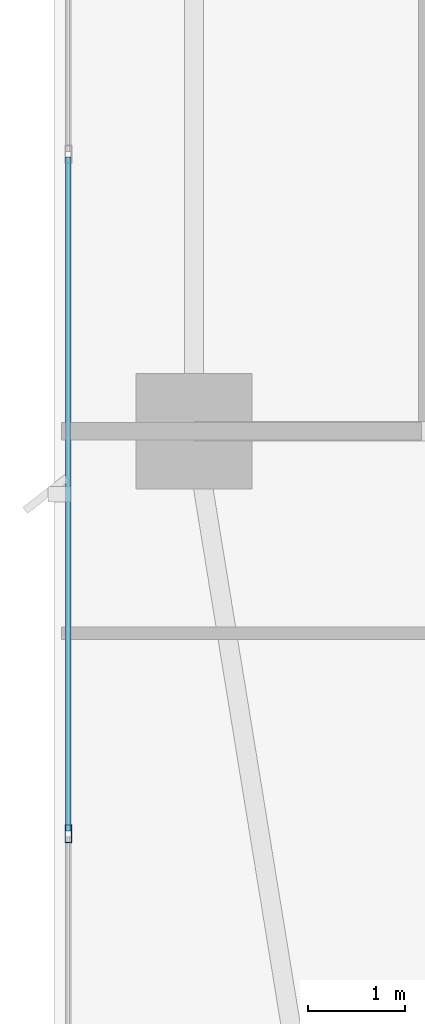
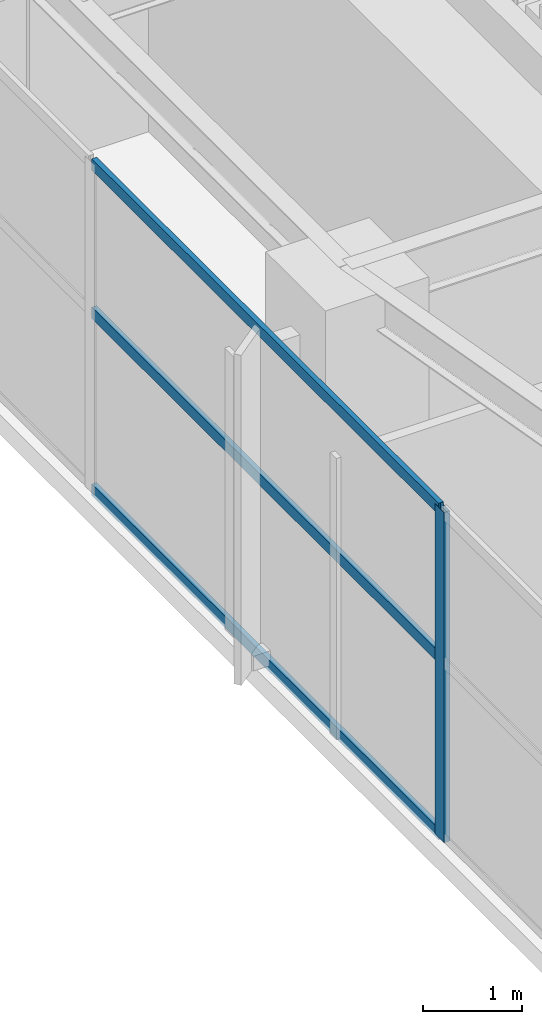
# One storey, part 4 of 30: 4 members, 1 element without a shape of its own.
"""IFC4 building model written with IfcOpenShell, lengths in metres."""

from ifc_helpers import new_model, si_unit, direction, frame, origin, origin_2d, place, context, subcontext, project, spatial, hollow_rectangle, extrude, material, layer, layer_set, material_profile, profile_set, type_object, element, aggregate, save


model = new_model("IFC4")

# Units and contexts
model_context = context("Model", 3, precision=1e-05, world=origin(), true_north=direction((0.0, 1.0)))
body_context = subcontext(model_context, "Body", "Model", "MODEL_VIEW")
ifc_project = project(units=[si_unit("LENGTHUNIT", "METRE"), si_unit("AREAUNIT", "SQUARE_METRE"), si_unit("VOLUMEUNIT", "CUBIC_METRE"), si_unit("PLANEANGLEUNIT", "RADIAN"), si_unit("MASSUNIT", "GRAM", prefix="KILO")], contexts=[model_context])

# Site, building, storey
site_placement = place(None, origin())
site = spatial("IfcSite", under=ifc_project, at=site_placement, CompositionType="ELEMENT")
building_placement = place(site_placement, origin())
building = spatial("IfcBuilding", under=site, at=building_placement, Name="Calvorn Quay Hotel", CompositionType="ELEMENT")
storey_placement = place(building_placement, frame((0.0, 0.0, 195.10009765625)))
storey = spatial("IfcBuildingStorey", under=building, at=storey_placement, Name="L48", CompositionType="ELEMENT", Elevation=195.10009765625)

# Curtain wall, members
ifc_material_1 = material(Name="Champagne Bronze Anodised Aluminium and Low-E Glass", Category="aluminium")
ifc_layer = layer(ifc_material_1, 0.219970703125)
ifc_layer_set = layer_set([ifc_layer], Name="CW-SYS-Z3")
curtain_wall_type = type_object("IfcCurtainWallType", Name="CW-SYS-Z3", PredefinedType="NOTDEFINED", material=ifc_layer_set)
curtain_wall_placement = place(storey_placement, origin())
curtain_wall = element("IfcCurtainWall", 1, at=curtain_wall_placement, inside=storey, type_object=curtain_wall_type, Name="Tower West Curtain Wall (L48)", PredefinedType="NOTDEFINED")
ifc_material_2 = material(Name="Champagne Bronze Anodised Aluminium 6063-T6", Category="aluminium")
ifc_material_profile_1 = material_profile(ifc_material_2, hollow_rectangle(XDim=0.068115234375, YDim=0.18505859375, WallThickness=0.00390625, at=origin_2d()), Name="ALU-M185x68x4")
ifc_profile_set_1 = profile_set([ifc_material_profile_1], Name="Champagne Bronze Anodised Aluminium 6063-T6")
member_type_1 = type_object("IfcMemberType", Name="CW-SYS-Z3-MUL", PredefinedType="MULLION", material=ifc_profile_set_1)
member_1_placement = place(storey_placement, frame((0.14990234375, 12.63330078125, 0.0), z_axis=(0.0, 0.0, 1.0), x_axis=(-1.0, 0.0, 0.0)))
member_1 = element("IfcMember", 2, at=member_1_placement, type_object=member_type_1, Name="CW-L48-W mullion 2", PredefinedType="MULLION", context=body_context, shape_type="SweptSolid", body=[
    extrude(hollow_rectangle(XDim=0.068115234375, YDim=0.18505859375, WallThickness=0.00390625, at=origin_2d()), origin(), (0.0, 0.0, 1.0), 4.0498046875),
])
ifc_material_3 = material(Name="Champagne Bronze Anodised Aluminium 6063-T6", Category="aluminium")
ifc_material_profile_2 = material_profile(ifc_material_3, hollow_rectangle(XDim=0.05810546875, YDim=0.139892578125, WallThickness=0.003173828125, at=origin_2d()), Name="ALU-T140x58x3.2")
ifc_profile_set_2 = profile_set([ifc_material_profile_2], Name="Champagne Bronze Anodised Aluminium 6063-T6")
member_type_2 = type_object("IfcMemberType", Name="CW-SYS-Z3-TRN", PredefinedType="USERDEFINED", material=ifc_profile_set_2)
member_2_placement = place(storey_placement, frame((0.14990234375, 12.663330078125, 0.02978515625), z_axis=(0.0, 1.0, 0.0), x_axis=(-1.0, 0.0, 0.0)))
member_2 = element("IfcMember", 3, at=member_2_placement, type_object=member_type_2, Name="CW-L48-W transom 2.1", ObjectType="TRANSOM", PredefinedType="USERDEFINED", context=body_context, shape_type="SweptSolid", body=[
    extrude(hollow_rectangle(XDim=0.05810546875, YDim=0.139892578125, WallThickness=0.003173828125, at=origin_2d()), origin(), (0.0, 0.0, 1.0), 6.973388671875),
])
member_3_placement = place(storey_placement, frame((0.14990234375, 12.663330078125, 2.199951171875), z_axis=(0.0, 1.0, 0.0), x_axis=(-1.0, 0.0, 0.0)))
member_3 = element("IfcMember", 4, at=member_3_placement, type_object=member_type_2, Name="CW-L48-W transom 2.2", ObjectType="TRANSOM", PredefinedType="USERDEFINED", context=body_context, shape_type="SweptSolid", body=[
    extrude(hollow_rectangle(XDim=0.05810546875, YDim=0.139892578125, WallThickness=0.003173828125, at=origin_2d()), origin(), (0.0, 0.0, 1.0), 6.973388671875),
])
member_4_placement = place(storey_placement, frame((0.14990234375, 12.663330078125, 4.02001953125), z_axis=(0.0, 1.0, 0.0), x_axis=(-1.0, 0.0, 0.0)))
member_4 = element("IfcMember", 5, at=member_4_placement, type_object=member_type_2, Name="CW-L48-W transom 2.3", ObjectType="TRANSOM", PredefinedType="USERDEFINED", context=body_context, shape_type="SweptSolid", body=[
    extrude(hollow_rectangle(XDim=0.05810546875, YDim=0.139892578125, WallThickness=0.003173828125, at=origin_2d()), origin(), (0.0, 0.0, 1.0), 6.973388671875),
])
aggregate(curtain_wall, [member_1, member_2, member_3, member_4])

save(model, "model.ifc")
